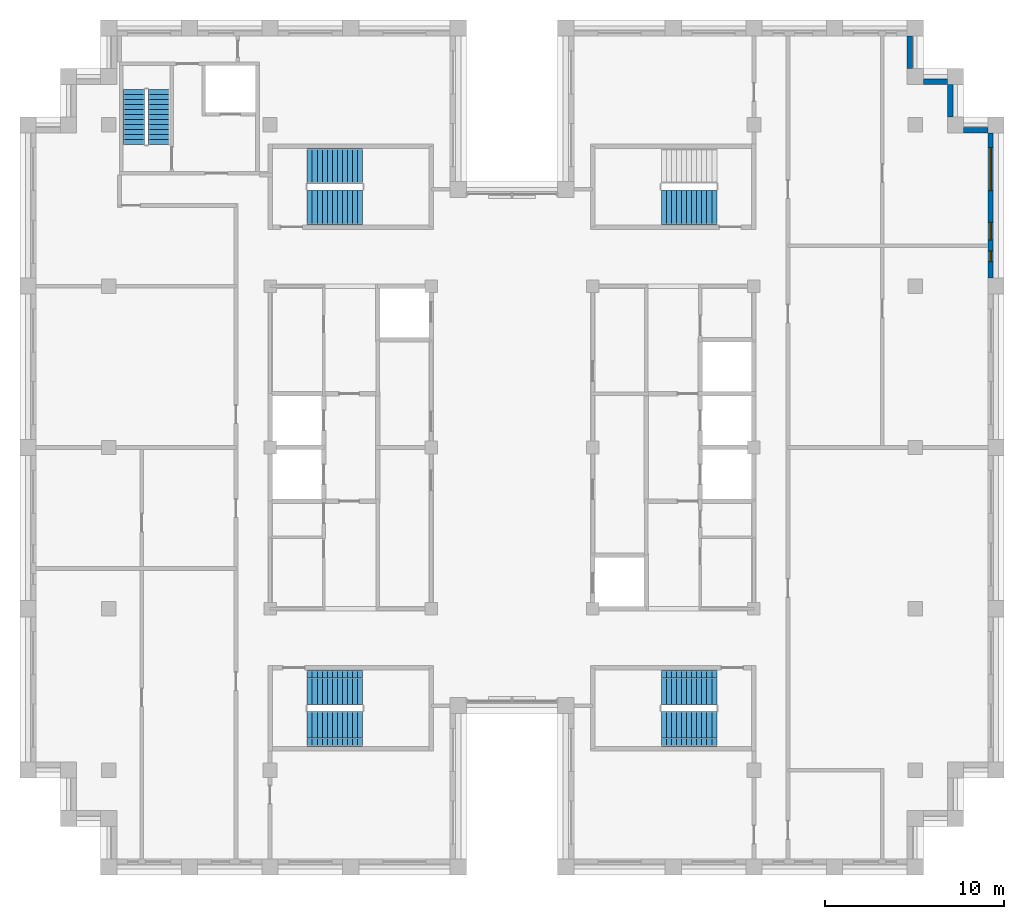
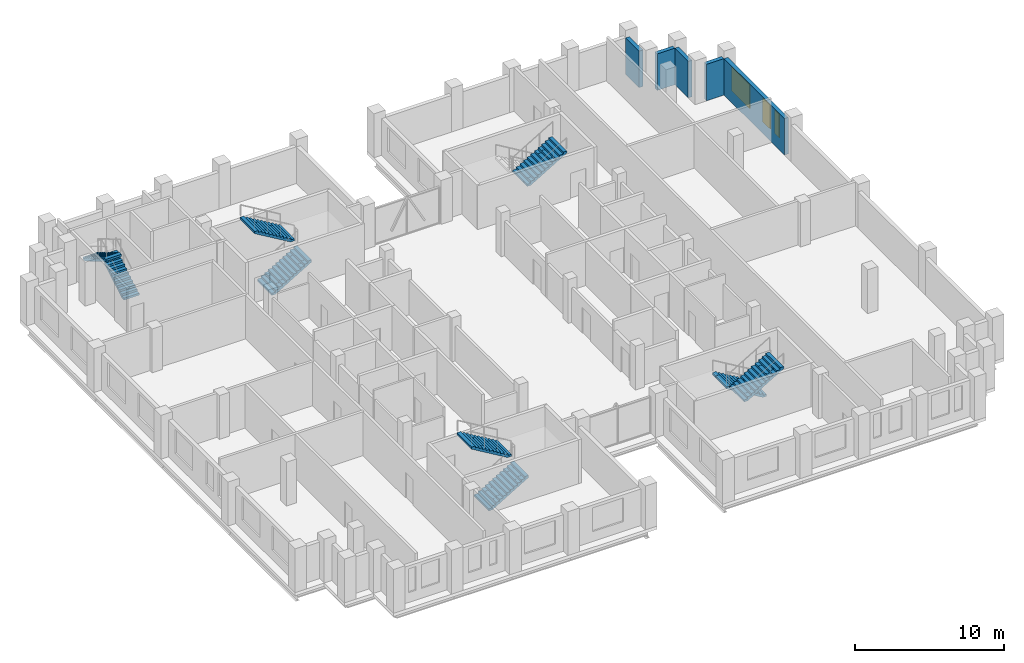
# One storey, part 11 of 13: 9 stair flights, 5 walls, 3 windows, 3 openings, 5 elements without a shape of their own.
"""IFC4 building model written with IfcOpenShell, lengths in metres."""

from ifc_helpers import new_model, si_unit, direction, frame, frame_2d, origin, place, context, subcontext, project, spatial, polyline, rectangle, outline, extrude, material, layer, layer_set, type_object, element, fill, aggregate, save


model = new_model("IFC4")

# Units and contexts
model_context = context("Model", 3, precision=1e-05, world=origin(), true_north=direction((0.0, 1.0)))
body_context = subcontext(model_context, "Body", "Model", "MODEL_VIEW")
ifc_project = project(units=[si_unit("LENGTHUNIT", "METRE"), si_unit("AREAUNIT", "SQUARE_METRE"), si_unit("VOLUMEUNIT", "CUBIC_METRE"), si_unit("PLANEANGLEUNIT", "RADIAN"), si_unit("MASSUNIT", "GRAM", prefix="KILO")], contexts=[model_context])

# Site, building, storey
site_placement = place(None, origin())
site = spatial("IfcSite", under=ifc_project, at=site_placement, CompositionType="ELEMENT")
building_placement = place(site_placement, origin())
building = spatial("IfcBuilding", under=site, at=building_placement, Name="Corbelhall Arena Tower", CompositionType="ELEMENT")
storey_placement = place(building_placement, frame((0.0, 0.0, 316.0)))
storey = spatial("IfcBuildingStorey", under=building, at=storey_placement, Name="L69", CompositionType="ELEMENT", Elevation=316.0)

# Wall, openings, windows
ifc_material_1 = material(Name="Precast concrete C40/50 with granite facing", Category="masonry")
ifc_layer = layer(ifc_material_1, 0.300048828125)
ifc_layer_set = layer_set([ifc_layer], Name="EV-IW1 Infill panel 300")
wall_type = type_object("IfcWallType", Name="EV-IW1 Infill panel 300", PredefinedType="SOLIDWALL", material=ifc_layer_set)
wall_1_placement = place(storey_placement, frame((26.699951171875, 9.449951171875, 0.0), z_axis=(0.0, 0.0, 1.0), x_axis=(0.0, 1.0, 0.0)))
wall_1 = element("IfcWall", 1, at=wall_1_placement, inside=storey, type_object=wall_type, Name="Infill panel IW1", PredefinedType="SOLIDWALL", context=body_context, shape_type="SweptSolid", body=[
    extrude(rectangle(XDim=8.10009765625, YDim=0.300048828125, at=frame_2d((4.050048828125, 0.0))), origin(), (0.0, 0.0, 1.0), 2.989990234375),
])
opening_1_placement = place(wall_1_placement, frame((4.875, 0.0, 0.800048828125)))
opening_1 = element("IfcOpeningElement", 2, at=opening_1_placement, cuts=wall_1, Name="Opening WN1", PredefinedType="OPENING", context=body_context, shape_type="SweptSolid", body=[
    extrude(rectangle(XDim=2.39990234375, YDim=1.949951171875, at=frame_2d((1.199951171875, 0.97509765625))), frame((0.0, 0.14990234375, 0.0), z_axis=(0.0, -1.0, 0.0), x_axis=(1.0, 0.0, 0.0)), (0.0, 0.0, 1.0), 0.300048828125),
])
opening_2_placement = place(wall_1_placement, frame((0.91259765625, 0.0, 0.800048828125)))
opening_2 = element("IfcOpeningElement", 3, at=opening_2_placement, cuts=wall_1, Name="Opening WN5", PredefinedType="OPENING", context=body_context, shape_type="SweptSolid", body=[
    extrude(rectangle(XDim=0.60009765625, YDim=1.949951171875, at=frame_2d((0.300048828125, 0.97509765625))), frame((0.0, 0.14990234375, 0.0), z_axis=(0.0, -1.0, 0.0), x_axis=(1.0, 0.0, 0.0)), (0.0, 0.0, 1.0), 0.300048828125),
])
opening_3_placement = place(wall_1_placement, frame((2.112548828125, 0.0, 0.800048828125)))
opening_3 = element("IfcOpeningElement", 4, at=opening_3_placement, cuts=wall_1, Name="Opening WN6", PredefinedType="OPENING", context=body_context, shape_type="SweptSolid", body=[
    extrude(rectangle(XDim=1.0, YDim=1.949951171875, at=frame_2d((0.5, 0.97509765625))), frame((0.0, 0.14990234375, 0.0), z_axis=(0.0, -1.0, 0.0), x_axis=(1.0, 0.0, 0.0)), (0.0, 0.0, 1.0), 0.300048828125),
])
ifc_material_2 = material(Name="Aluminium black anodised", Category="aluminium")
window_type_1 = type_object("IfcWindowType", Name="EV-WN1 Office window", PartitioningType="SINGLE_PANEL", PredefinedType="WINDOW", material=ifc_material_2)
window_1_placement = place(opening_1_placement, origin())
window_1 = element("IfcWindow", 5, at=window_1_placement, inside=storey, type_object=window_type_1, Name="Window WN1", OverallHeight=1.949951171875, OverallWidth=2.39990234375, PartitioningType="SINGLE_PANEL", PredefinedType="WINDOW", context=body_context, shape_type="SweptSolid", body=[
    extrude(rectangle(XDim=2.39990234375, YDim=1.949951171875, at=frame_2d((1.199951171875, 0.97509765625))), frame((0.0, 0.030029296875, 0.0), z_axis=(0.0, -1.0, 0.0), x_axis=(1.0, 0.0, 0.0)), (0.0, 0.0, 1.0), 0.06005859375),
])
fill(opening_1, window_1)
window_type_2 = type_object("IfcWindowType", Name="EV-WN5 Office window 600", PartitioningType="SINGLE_PANEL", PredefinedType="WINDOW", material=ifc_material_2)
window_2_placement = place(opening_2_placement, origin())
window_2 = element("IfcWindow", 6, at=window_2_placement, inside=storey, type_object=window_type_2, Name="Window WN5", OverallHeight=1.949951171875, OverallWidth=0.60009765625, PartitioningType="SINGLE_PANEL", PredefinedType="WINDOW", context=body_context, shape_type="SweptSolid", body=[
    extrude(rectangle(XDim=0.60009765625, YDim=1.949951171875, at=frame_2d((0.300048828125, 0.97509765625))), frame((0.0, 0.030029296875, 0.0), z_axis=(0.0, -1.0, 0.0), x_axis=(1.0, 0.0, 0.0)), (0.0, 0.0, 1.0), 0.06005859375),
])
fill(opening_2, window_2)
window_type_3 = type_object("IfcWindowType", Name="EV-WN6 Office window 1000", PartitioningType="SINGLE_PANEL", PredefinedType="WINDOW", material=ifc_material_2)
window_3_placement = place(opening_3_placement, origin())
window_3 = element("IfcWindow", 7, at=window_3_placement, inside=storey, type_object=window_type_3, Name="Window WN6", OverallHeight=1.949951171875, OverallWidth=1.0, PartitioningType="SINGLE_PANEL", PredefinedType="WINDOW", context=body_context, shape_type="SweptSolid", body=[
    extrude(rectangle(XDim=1.0, YDim=1.949951171875, at=frame_2d((0.5, 0.97509765625))), frame((0.0, 0.030029296875, 0.0), z_axis=(0.0, -1.0, 0.0), x_axis=(1.0, 0.0, 0.0)), (0.0, 0.0, 1.0), 0.06005859375),
])
fill(opening_3, window_3)

# Walls
wall_2_placement = place(storey_placement, frame((26.550048828125, 17.699951171875, 0.0), z_axis=(0.0, 0.0, 1.0), x_axis=(-1.0, 0.0, 0.0)))
element("IfcWall", 8, at=wall_2_placement, inside=storey, type_object=wall_type, Name="Infill panel IW1", PredefinedType="SOLIDWALL", context=body_context, shape_type="SweptSolid", body=[
    extrude(rectangle(XDim=1.35009765625, YDim=0.300048828125, at=frame_2d((0.675048828125, 0.0))), origin(), (0.0, 0.0, 1.0), 2.989990234375),
])
wall_3_placement = place(storey_placement, frame((24.449951171875, 18.449951171875, 0.0), z_axis=(0.0, 0.0, 1.0), x_axis=(0.0, 1.0, 0.0)))
element("IfcWall", 9, at=wall_3_placement, inside=storey, type_object=wall_type, Name="Infill panel IW1", PredefinedType="SOLIDWALL", context=body_context, shape_type="SweptSolid", body=[
    extrude(rectangle(XDim=1.800048828125, YDim=0.300048828125, at=frame_2d((0.89990234375, 0.0))), origin(), (0.0, 0.0, 1.0), 2.989990234375),
])
wall_4_placement = place(storey_placement, frame((24.300048828125, 20.39990234375, 0.0), z_axis=(0.0, 0.0, 1.0), x_axis=(-1.0, 0.0, 0.0)))
element("IfcWall", 10, at=wall_4_placement, inside=storey, type_object=wall_type, Name="Infill panel IW1", PredefinedType="SOLIDWALL", context=body_context, shape_type="SweptSolid", body=[
    extrude(rectangle(XDim=1.35009765625, YDim=0.300048828125, at=frame_2d((0.675048828125, 0.0))), origin(), (0.0, 0.0, 1.0), 2.989990234375),
])
wall_5_placement = place(storey_placement, frame((22.199951171875, 21.14990234375, 0.0), z_axis=(0.0, 0.0, 1.0), x_axis=(0.0, 1.0, 0.0)))
element("IfcWall", 11, at=wall_5_placement, inside=storey, type_object=wall_type, Name="Infill panel IW1", PredefinedType="SOLIDWALL", context=body_context, shape_type="SweptSolid", body=[
    extrude(rectangle(XDim=1.800048828125, YDim=0.300048828125, at=frame_2d((0.89990234375, 0.0))), origin(), (0.0, 0.0, 1.0), 2.989990234375),
])

# Stair, stair flights
ifc_material_3 = material(Name="Concrete C40/50", Category="concrete")
stair_type = type_object("IfcStairType", Name="IN-ST-TOWER", PredefinedType="HALF_TURN_STAIR", material=ifc_material_3)
stair_1_placement = place(storey_placement, origin())
stair_1 = element("IfcStair", 12, at=stair_1_placement, inside=storey, type_object=stair_type, Name="L69 Exit stair ST1", PredefinedType="HALF_TURN_STAIR")
stair_flight_type = type_object("IfcStairFlightType", Name="IN-SFL-RC", PredefinedType="STRAIGHT", material=ifc_material_3)
stair_flight_1_placement = place(storey_placement, frame((-11.425048828125, 13.39990234375, 0.0), z_axis=(0.0, 0.0, 1.0), x_axis=(1.0, 0.0, 0.0)))
stair_flight_1 = element("IfcStairFlight", 13, at=stair_flight_1_placement, type_object=stair_flight_type, Name="ST1 flight 1", NumberOfRisers=12, NumberOfTreads=11, PredefinedType="STRAIGHT", RiserHeight=0.166666667, TreadLength=0.28, context=body_context, shape_type="SweptSolid", body=[
    extrude(outline(polyline([(0.0, 0.0), (0.0, 0.166748046875), (0.280029296875, 0.166748046875), (0.280029296875, 0.333251953125), (0.56005859375, 0.333251953125), (0.56005859375, 0.5), (0.840087890625, 0.5), (0.840087890625, 0.666748046875), (1.1201171875, 0.666748046875), (1.1201171875, 0.833251953125), (1.39990234375, 0.833251953125), (1.39990234375, 1.0), (1.679931640625, 1.0), (1.679931640625, 1.166748046875), (1.9599609375, 1.166748046875), (1.9599609375, 1.333251953125), (2.239990234375, 1.333251953125), (2.239990234375, 1.5), (2.52001953125, 1.5), (2.52001953125, 1.666748046875), (2.800048828125, 1.666748046875), (2.800048828125, 1.833251953125), (3.080078125, 1.833251953125), (3.080078125, 2.0), (3.080078125, 1.658935546875), (0.29296875, 0.0), (0.0, 0.0)])), frame((0.0, 0.97509765625, 0.0), z_axis=(0.0, -1.0, 0.0), x_axis=(1.0, 0.0, 0.0)), (0.0, 0.0, 1.0), 0.449951171875),
    extrude(outline(polyline([(0.0, 0.0), (0.0, 0.166748046875), (0.280029296875, 0.166748046875), (0.280029296875, 0.333251953125), (0.56005859375, 0.333251953125), (0.56005859375, 0.5), (0.840087890625, 0.5), (0.840087890625, 0.666748046875), (1.1201171875, 0.666748046875), (1.1201171875, 0.833251953125), (1.39990234375, 0.833251953125), (1.39990234375, 1.0), (1.679931640625, 1.0), (1.679931640625, 1.166748046875), (1.9599609375, 1.166748046875), (1.9599609375, 1.333251953125), (2.239990234375, 1.333251953125), (2.239990234375, 1.5), (2.52001953125, 1.5), (2.52001953125, 1.666748046875), (2.800048828125, 1.666748046875), (2.800048828125, 1.833251953125), (3.080078125, 1.833251953125), (3.080078125, 2.0), (3.080078125, 1.658935546875), (0.29296875, 0.0), (0.0, 0.0)])), frame((0.0, 0.52099609375, 0.0), z_axis=(0.0, -1.0, 0.0), x_axis=(1.0, 0.0, 0.0)), (0.0, 0.0, 1.0), 1.0419921875),
    extrude(outline(polyline([(0.0, 0.0), (0.0, 0.166748046875), (0.280029296875, 0.166748046875), (0.280029296875, 0.333251953125), (0.56005859375, 0.333251953125), (0.56005859375, 0.5), (0.840087890625, 0.5), (0.840087890625, 0.666748046875), (1.1201171875, 0.666748046875), (1.1201171875, 0.833251953125), (1.39990234375, 0.833251953125), (1.39990234375, 1.0), (1.679931640625, 1.0), (1.679931640625, 1.166748046875), (1.9599609375, 1.166748046875), (1.9599609375, 1.333251953125), (2.239990234375, 1.333251953125), (2.239990234375, 1.5), (2.52001953125, 1.5), (2.52001953125, 1.666748046875), (2.800048828125, 1.666748046875), (2.800048828125, 1.833251953125), (3.080078125, 1.833251953125), (3.080078125, 2.0), (3.080078125, 1.658935546875), (0.29296875, 0.0), (0.0, 0.0)])), frame((0.0, -0.52490234375, 0.0), z_axis=(0.0, -1.0, 0.0), x_axis=(1.0, 0.0, 0.0)), (0.0, 0.0, 1.0), 0.449951171875),
])
stair_flight_2_placement = place(storey_placement, frame((-8.344970703125, 15.699951171875, 2.0), z_axis=(0.0, 0.0, 1.0), x_axis=(-1.0, 0.0, 0.0)))
stair_flight_2 = element("IfcStairFlight", 14, at=stair_flight_2_placement, type_object=stair_flight_type, Name="ST1 flight 2", NumberOfRisers=12, NumberOfTreads=11, PredefinedType="STRAIGHT", RiserHeight=0.166666667, TreadLength=0.28, context=body_context, shape_type="SweptSolid", body=[
    extrude(outline(polyline([(0.0, 0.0), (0.0, 0.166748046875), (0.280029296875, 0.166748046875), (0.280029296875, 0.333251953125), (0.56005859375, 0.333251953125), (0.56005859375, 0.5), (0.840087890625, 0.5), (0.840087890625, 0.666748046875), (1.1201171875, 0.666748046875), (1.1201171875, 0.833251953125), (1.39990234375, 0.833251953125), (1.39990234375, 1.0), (1.679931640625, 1.0), (1.679931640625, 1.166748046875), (1.9599609375, 1.166748046875), (1.9599609375, 1.333251953125), (2.239990234375, 1.333251953125), (2.239990234375, 1.5), (2.52001953125, 1.5), (2.52001953125, 1.666748046875), (2.800048828125, 1.666748046875), (2.800048828125, 1.833251953125), (3.080078125, 1.833251953125), (3.080078125, 2.0), (3.080078125, 1.658935546875), (0.29296875, 0.0), (0.0, 0.0)])), frame((0.0, 0.97509765625, 0.0), z_axis=(0.0, -1.0, 0.0), x_axis=(1.0, 0.0, 0.0)), (0.0, 0.0, 1.0), 0.449951171875),
    extrude(outline(polyline([(0.0, 0.0), (0.0, 0.166748046875), (0.280029296875, 0.166748046875), (0.280029296875, 0.333251953125), (0.56005859375, 0.333251953125), (0.56005859375, 0.5), (0.840087890625, 0.5), (0.840087890625, 0.666748046875), (1.1201171875, 0.666748046875), (1.1201171875, 0.833251953125), (1.39990234375, 0.833251953125), (1.39990234375, 1.0), (1.679931640625, 1.0), (1.679931640625, 1.166748046875), (1.9599609375, 1.166748046875), (1.9599609375, 1.333251953125), (2.239990234375, 1.333251953125), (2.239990234375, 1.5), (2.52001953125, 1.5), (2.52001953125, 1.666748046875), (2.800048828125, 1.666748046875), (2.800048828125, 1.833251953125), (3.080078125, 1.833251953125), (3.080078125, 2.0), (3.080078125, 1.658935546875), (0.29296875, 0.0), (0.0, 0.0)])), frame((0.0, 0.52099609375, 0.0), z_axis=(0.0, -1.0, 0.0), x_axis=(1.0, 0.0, 0.0)), (0.0, 0.0, 1.0), 1.0419921875),
    extrude(outline(polyline([(0.0, 0.0), (0.0, 0.166748046875), (0.280029296875, 0.166748046875), (0.280029296875, 0.333251953125), (0.56005859375, 0.333251953125), (0.56005859375, 0.5), (0.840087890625, 0.5), (0.840087890625, 0.666748046875), (1.1201171875, 0.666748046875), (1.1201171875, 0.833251953125), (1.39990234375, 0.833251953125), (1.39990234375, 1.0), (1.679931640625, 1.0), (1.679931640625, 1.166748046875), (1.9599609375, 1.166748046875), (1.9599609375, 1.333251953125), (2.239990234375, 1.333251953125), (2.239990234375, 1.5), (2.52001953125, 1.5), (2.52001953125, 1.666748046875), (2.800048828125, 1.666748046875), (2.800048828125, 1.833251953125), (3.080078125, 1.833251953125), (3.080078125, 2.0), (3.080078125, 1.658935546875), (0.29296875, 0.0), (0.0, 0.0)])), frame((0.0, -0.52490234375, 0.0), z_axis=(0.0, -1.0, 0.0), x_axis=(1.0, 0.0, 0.0)), (0.0, 0.0, 1.0), 0.449951171875),
])
aggregate(stair_1, [stair_flight_1, stair_flight_2])

stair_2_placement = place(storey_placement, origin())
stair_2 = element("IfcStair", 15, at=stair_2_placement, inside=storey, type_object=stair_type, Name="L69 Exit stair ST2", PredefinedType="HALF_TURN_STAIR")
stair_flight_3_placement = place(storey_placement, frame((-11.425048828125, -15.699951171875, 0.0), z_axis=(0.0, 0.0, 1.0), x_axis=(1.0, 0.0, 0.0)))
stair_flight_3 = element("IfcStairFlight", 16, at=stair_flight_3_placement, type_object=stair_flight_type, Name="ST2 flight 1", NumberOfRisers=12, NumberOfTreads=11, PredefinedType="STRAIGHT", RiserHeight=0.166666667, TreadLength=0.28, context=body_context, shape_type="SweptSolid", body=[
    extrude(outline(polyline([(0.0, 0.0), (0.0, 0.166748046875), (0.280029296875, 0.166748046875), (0.280029296875, 0.333251953125), (0.56005859375, 0.333251953125), (0.56005859375, 0.5), (0.840087890625, 0.5), (0.840087890625, 0.666748046875), (1.1201171875, 0.666748046875), (1.1201171875, 0.833251953125), (1.39990234375, 0.833251953125), (1.39990234375, 1.0), (1.679931640625, 1.0), (1.679931640625, 1.166748046875), (1.9599609375, 1.166748046875), (1.9599609375, 1.333251953125), (2.239990234375, 1.333251953125), (2.239990234375, 1.5), (2.52001953125, 1.5), (2.52001953125, 1.666748046875), (2.800048828125, 1.666748046875), (2.800048828125, 1.833251953125), (3.080078125, 1.833251953125), (3.080078125, 2.0), (3.080078125, 1.658935546875), (0.29296875, 0.0), (0.0, 0.0)])), frame((0.0, 0.97509765625, 0.0), z_axis=(0.0, -1.0, 0.0), x_axis=(1.0, 0.0, 0.0)), (0.0, 0.0, 1.0), 0.449951171875),
    extrude(outline(polyline([(0.0, 0.0), (0.0, 0.166748046875), (0.280029296875, 0.166748046875), (0.280029296875, 0.333251953125), (0.56005859375, 0.333251953125), (0.56005859375, 0.5), (0.840087890625, 0.5), (0.840087890625, 0.666748046875), (1.1201171875, 0.666748046875), (1.1201171875, 0.833251953125), (1.39990234375, 0.833251953125), (1.39990234375, 1.0), (1.679931640625, 1.0), (1.679931640625, 1.166748046875), (1.9599609375, 1.166748046875), (1.9599609375, 1.333251953125), (2.239990234375, 1.333251953125), (2.239990234375, 1.5), (2.52001953125, 1.5), (2.52001953125, 1.666748046875), (2.800048828125, 1.666748046875), (2.800048828125, 1.833251953125), (3.080078125, 1.833251953125), (3.080078125, 2.0), (3.080078125, 1.658935546875), (0.29296875, 0.0), (0.0, 0.0)])), frame((0.0, 0.52099609375, 0.0), z_axis=(0.0, -1.0, 0.0), x_axis=(1.0, 0.0, 0.0)), (0.0, 0.0, 1.0), 1.0419921875),
    extrude(outline(polyline([(0.0, 0.0), (0.0, 0.166748046875), (0.280029296875, 0.166748046875), (0.280029296875, 0.333251953125), (0.56005859375, 0.333251953125), (0.56005859375, 0.5), (0.840087890625, 0.5), (0.840087890625, 0.666748046875), (1.1201171875, 0.666748046875), (1.1201171875, 0.833251953125), (1.39990234375, 0.833251953125), (1.39990234375, 1.0), (1.679931640625, 1.0), (1.679931640625, 1.166748046875), (1.9599609375, 1.166748046875), (1.9599609375, 1.333251953125), (2.239990234375, 1.333251953125), (2.239990234375, 1.5), (2.52001953125, 1.5), (2.52001953125, 1.666748046875), (2.800048828125, 1.666748046875), (2.800048828125, 1.833251953125), (3.080078125, 1.833251953125), (3.080078125, 2.0), (3.080078125, 1.658935546875), (0.29296875, 0.0), (0.0, 0.0)])), frame((0.0, -0.52490234375, 0.0), z_axis=(0.0, -1.0, 0.0), x_axis=(1.0, 0.0, 0.0)), (0.0, 0.0, 1.0), 0.449951171875),
])
stair_flight_4_placement = place(storey_placement, frame((-8.344970703125, -13.39990234375, 2.0), z_axis=(0.0, 0.0, 1.0), x_axis=(-1.0, 0.0, 0.0)))
stair_flight_4 = element("IfcStairFlight", 17, at=stair_flight_4_placement, type_object=stair_flight_type, Name="ST2 flight 2", NumberOfRisers=12, NumberOfTreads=11, PredefinedType="STRAIGHT", RiserHeight=0.166666667, TreadLength=0.28, context=body_context, shape_type="SweptSolid", body=[
    extrude(outline(polyline([(0.0, 0.0), (0.0, 0.166748046875), (0.280029296875, 0.166748046875), (0.280029296875, 0.333251953125), (0.56005859375, 0.333251953125), (0.56005859375, 0.5), (0.840087890625, 0.5), (0.840087890625, 0.666748046875), (1.1201171875, 0.666748046875), (1.1201171875, 0.833251953125), (1.39990234375, 0.833251953125), (1.39990234375, 1.0), (1.679931640625, 1.0), (1.679931640625, 1.166748046875), (1.9599609375, 1.166748046875), (1.9599609375, 1.333251953125), (2.239990234375, 1.333251953125), (2.239990234375, 1.5), (2.52001953125, 1.5), (2.52001953125, 1.666748046875), (2.800048828125, 1.666748046875), (2.800048828125, 1.833251953125), (3.080078125, 1.833251953125), (3.080078125, 2.0), (3.080078125, 1.658935546875), (0.29296875, 0.0), (0.0, 0.0)])), frame((0.0, 0.97509765625, 0.0), z_axis=(0.0, -1.0, 0.0), x_axis=(1.0, 0.0, 0.0)), (0.0, 0.0, 1.0), 0.449951171875),
    extrude(outline(polyline([(0.0, 0.0), (0.0, 0.166748046875), (0.280029296875, 0.166748046875), (0.280029296875, 0.333251953125), (0.56005859375, 0.333251953125), (0.56005859375, 0.5), (0.840087890625, 0.5), (0.840087890625, 0.666748046875), (1.1201171875, 0.666748046875), (1.1201171875, 0.833251953125), (1.39990234375, 0.833251953125), (1.39990234375, 1.0), (1.679931640625, 1.0), (1.679931640625, 1.166748046875), (1.9599609375, 1.166748046875), (1.9599609375, 1.333251953125), (2.239990234375, 1.333251953125), (2.239990234375, 1.5), (2.52001953125, 1.5), (2.52001953125, 1.666748046875), (2.800048828125, 1.666748046875), (2.800048828125, 1.833251953125), (3.080078125, 1.833251953125), (3.080078125, 2.0), (3.080078125, 1.658935546875), (0.29296875, 0.0), (0.0, 0.0)])), frame((0.0, 0.52099609375, 0.0), z_axis=(0.0, -1.0, 0.0), x_axis=(1.0, 0.0, 0.0)), (0.0, 0.0, 1.0), 1.0419921875),
    extrude(outline(polyline([(0.0, 0.0), (0.0, 0.166748046875), (0.280029296875, 0.166748046875), (0.280029296875, 0.333251953125), (0.56005859375, 0.333251953125), (0.56005859375, 0.5), (0.840087890625, 0.5), (0.840087890625, 0.666748046875), (1.1201171875, 0.666748046875), (1.1201171875, 0.833251953125), (1.39990234375, 0.833251953125), (1.39990234375, 1.0), (1.679931640625, 1.0), (1.679931640625, 1.166748046875), (1.9599609375, 1.166748046875), (1.9599609375, 1.333251953125), (2.239990234375, 1.333251953125), (2.239990234375, 1.5), (2.52001953125, 1.5), (2.52001953125, 1.666748046875), (2.800048828125, 1.666748046875), (2.800048828125, 1.833251953125), (3.080078125, 1.833251953125), (3.080078125, 2.0), (3.080078125, 1.658935546875), (0.29296875, 0.0), (0.0, 0.0)])), frame((0.0, -0.52490234375, 0.0), z_axis=(0.0, -1.0, 0.0), x_axis=(1.0, 0.0, 0.0)), (0.0, 0.0, 1.0), 0.449951171875),
])
aggregate(stair_2, [stair_flight_3, stair_flight_4])

# Stair, stair flight
stair_3_placement = place(storey_placement, origin())
stair_3 = element("IfcStair", 18, at=stair_3_placement, inside=storey, type_object=stair_type, Name="L69 Exit stair ST3", PredefinedType="HALF_TURN_STAIR")
stair_flight_5_placement = place(storey_placement, frame((8.344970703125, 13.39990234375, 2.0), z_axis=(0.0, 0.0, 1.0), x_axis=(1.0, 0.0, 0.0)))
stair_flight_5 = element("IfcStairFlight", 19, at=stair_flight_5_placement, type_object=stair_flight_type, Name="ST3 flight 2", NumberOfRisers=12, NumberOfTreads=11, PredefinedType="STRAIGHT", RiserHeight=0.166666667, TreadLength=0.28, context=body_context, shape_type="SweptSolid", body=[
    extrude(outline(polyline([(0.0, 0.0), (0.0, 0.166748046875), (0.280029296875, 0.166748046875), (0.280029296875, 0.333251953125), (0.56005859375, 0.333251953125), (0.56005859375, 0.5), (0.840087890625, 0.5), (0.840087890625, 0.666748046875), (1.1201171875, 0.666748046875), (1.1201171875, 0.833251953125), (1.39990234375, 0.833251953125), (1.39990234375, 1.0), (1.679931640625, 1.0), (1.679931640625, 1.166748046875), (1.9599609375, 1.166748046875), (1.9599609375, 1.333251953125), (2.239990234375, 1.333251953125), (2.239990234375, 1.5), (2.52001953125, 1.5), (2.52001953125, 1.666748046875), (2.800048828125, 1.666748046875), (2.800048828125, 1.833251953125), (3.080078125, 1.833251953125), (3.080078125, 2.0), (3.080078125, 1.658935546875), (0.29296875, 0.0), (0.0, 0.0)])), frame((0.0, 0.97509765625, 0.0), z_axis=(0.0, -1.0, 0.0), x_axis=(1.0, 0.0, 0.0)), (0.0, 0.0, 1.0), 0.449951171875),
    extrude(outline(polyline([(0.0, 0.0), (0.0, 0.166748046875), (0.280029296875, 0.166748046875), (0.280029296875, 0.333251953125), (0.56005859375, 0.333251953125), (0.56005859375, 0.5), (0.840087890625, 0.5), (0.840087890625, 0.666748046875), (1.1201171875, 0.666748046875), (1.1201171875, 0.833251953125), (1.39990234375, 0.833251953125), (1.39990234375, 1.0), (1.679931640625, 1.0), (1.679931640625, 1.166748046875), (1.9599609375, 1.166748046875), (1.9599609375, 1.333251953125), (2.239990234375, 1.333251953125), (2.239990234375, 1.5), (2.52001953125, 1.5), (2.52001953125, 1.666748046875), (2.800048828125, 1.666748046875), (2.800048828125, 1.833251953125), (3.080078125, 1.833251953125), (3.080078125, 2.0), (3.080078125, 1.658935546875), (0.29296875, 0.0), (0.0, 0.0)])), frame((0.0, 0.52099609375, 0.0), z_axis=(0.0, -1.0, 0.0), x_axis=(1.0, 0.0, 0.0)), (0.0, 0.0, 1.0), 1.0419921875),
    extrude(outline(polyline([(0.0, 0.0), (0.0, 0.166748046875), (0.280029296875, 0.166748046875), (0.280029296875, 0.333251953125), (0.56005859375, 0.333251953125), (0.56005859375, 0.5), (0.840087890625, 0.5), (0.840087890625, 0.666748046875), (1.1201171875, 0.666748046875), (1.1201171875, 0.833251953125), (1.39990234375, 0.833251953125), (1.39990234375, 1.0), (1.679931640625, 1.0), (1.679931640625, 1.166748046875), (1.9599609375, 1.166748046875), (1.9599609375, 1.333251953125), (2.239990234375, 1.333251953125), (2.239990234375, 1.5), (2.52001953125, 1.5), (2.52001953125, 1.666748046875), (2.800048828125, 1.666748046875), (2.800048828125, 1.833251953125), (3.080078125, 1.833251953125), (3.080078125, 2.0), (3.080078125, 1.658935546875), (0.29296875, 0.0), (0.0, 0.0)])), frame((0.0, -0.52490234375, 0.0), z_axis=(0.0, -1.0, 0.0), x_axis=(1.0, 0.0, 0.0)), (0.0, 0.0, 1.0), 0.449951171875),
])
aggregate(stair_3, [stair_flight_5])

# Stair, stair flights
stair_4_placement = place(storey_placement, origin())
stair_4 = element("IfcStair", 20, at=stair_4_placement, inside=storey, type_object=stair_type, Name="L69 Exit stair ST4", PredefinedType="HALF_TURN_STAIR")
stair_flight_6_placement = place(storey_placement, frame((11.425048828125, -13.39990234375, 0.0), z_axis=(0.0, 0.0, 1.0), x_axis=(-1.0, 0.0, 0.0)))
stair_flight_6 = element("IfcStairFlight", 21, at=stair_flight_6_placement, type_object=stair_flight_type, Name="ST4 flight 1", NumberOfRisers=12, NumberOfTreads=11, PredefinedType="STRAIGHT", RiserHeight=0.166666667, TreadLength=0.28, context=body_context, shape_type="SweptSolid", body=[
    extrude(outline(polyline([(0.0, 0.0), (0.0, 0.166748046875), (0.280029296875, 0.166748046875), (0.280029296875, 0.333251953125), (0.56005859375, 0.333251953125), (0.56005859375, 0.5), (0.840087890625, 0.5), (0.840087890625, 0.666748046875), (1.1201171875, 0.666748046875), (1.1201171875, 0.833251953125), (1.39990234375, 0.833251953125), (1.39990234375, 1.0), (1.679931640625, 1.0), (1.679931640625, 1.166748046875), (1.9599609375, 1.166748046875), (1.9599609375, 1.333251953125), (2.239990234375, 1.333251953125), (2.239990234375, 1.5), (2.52001953125, 1.5), (2.52001953125, 1.666748046875), (2.800048828125, 1.666748046875), (2.800048828125, 1.833251953125), (3.080078125, 1.833251953125), (3.080078125, 2.0), (3.080078125, 1.658935546875), (0.29296875, 0.0), (0.0, 0.0)])), frame((0.0, 0.97509765625, 0.0), z_axis=(0.0, -1.0, 0.0), x_axis=(1.0, 0.0, 0.0)), (0.0, 0.0, 1.0), 0.449951171875),
    extrude(outline(polyline([(0.0, 0.0), (0.0, 0.166748046875), (0.280029296875, 0.166748046875), (0.280029296875, 0.333251953125), (0.56005859375, 0.333251953125), (0.56005859375, 0.5), (0.840087890625, 0.5), (0.840087890625, 0.666748046875), (1.1201171875, 0.666748046875), (1.1201171875, 0.833251953125), (1.39990234375, 0.833251953125), (1.39990234375, 1.0), (1.679931640625, 1.0), (1.679931640625, 1.166748046875), (1.9599609375, 1.166748046875), (1.9599609375, 1.333251953125), (2.239990234375, 1.333251953125), (2.239990234375, 1.5), (2.52001953125, 1.5), (2.52001953125, 1.666748046875), (2.800048828125, 1.666748046875), (2.800048828125, 1.833251953125), (3.080078125, 1.833251953125), (3.080078125, 2.0), (3.080078125, 1.658935546875), (0.29296875, 0.0), (0.0, 0.0)])), frame((0.0, 0.52099609375, 0.0), z_axis=(0.0, -1.0, 0.0), x_axis=(1.0, 0.0, 0.0)), (0.0, 0.0, 1.0), 1.0419921875),
    extrude(outline(polyline([(0.0, 0.0), (0.0, 0.166748046875), (0.280029296875, 0.166748046875), (0.280029296875, 0.333251953125), (0.56005859375, 0.333251953125), (0.56005859375, 0.5), (0.840087890625, 0.5), (0.840087890625, 0.666748046875), (1.1201171875, 0.666748046875), (1.1201171875, 0.833251953125), (1.39990234375, 0.833251953125), (1.39990234375, 1.0), (1.679931640625, 1.0), (1.679931640625, 1.166748046875), (1.9599609375, 1.166748046875), (1.9599609375, 1.333251953125), (2.239990234375, 1.333251953125), (2.239990234375, 1.5), (2.52001953125, 1.5), (2.52001953125, 1.666748046875), (2.800048828125, 1.666748046875), (2.800048828125, 1.833251953125), (3.080078125, 1.833251953125), (3.080078125, 2.0), (3.080078125, 1.658935546875), (0.29296875, 0.0), (0.0, 0.0)])), frame((0.0, -0.52490234375, 0.0), z_axis=(0.0, -1.0, 0.0), x_axis=(1.0, 0.0, 0.0)), (0.0, 0.0, 1.0), 0.449951171875),
])
stair_flight_7_placement = place(storey_placement, frame((8.344970703125, -15.699951171875, 2.0), z_axis=(0.0, 0.0, 1.0), x_axis=(1.0, 0.0, 0.0)))
stair_flight_7 = element("IfcStairFlight", 22, at=stair_flight_7_placement, type_object=stair_flight_type, Name="ST4 flight 2", NumberOfRisers=12, NumberOfTreads=11, PredefinedType="STRAIGHT", RiserHeight=0.166666667, TreadLength=0.28, context=body_context, shape_type="SweptSolid", body=[
    extrude(outline(polyline([(0.0, 0.0), (0.0, 0.166748046875), (0.280029296875, 0.166748046875), (0.280029296875, 0.333251953125), (0.56005859375, 0.333251953125), (0.56005859375, 0.5), (0.840087890625, 0.5), (0.840087890625, 0.666748046875), (1.1201171875, 0.666748046875), (1.1201171875, 0.833251953125), (1.39990234375, 0.833251953125), (1.39990234375, 1.0), (1.679931640625, 1.0), (1.679931640625, 1.166748046875), (1.9599609375, 1.166748046875), (1.9599609375, 1.333251953125), (2.239990234375, 1.333251953125), (2.239990234375, 1.5), (2.52001953125, 1.5), (2.52001953125, 1.666748046875), (2.800048828125, 1.666748046875), (2.800048828125, 1.833251953125), (3.080078125, 1.833251953125), (3.080078125, 2.0), (3.080078125, 1.658935546875), (0.29296875, 0.0), (0.0, 0.0)])), frame((0.0, 0.97509765625, 0.0), z_axis=(0.0, -1.0, 0.0), x_axis=(1.0, 0.0, 0.0)), (0.0, 0.0, 1.0), 0.449951171875),
    extrude(outline(polyline([(0.0, 0.0), (0.0, 0.166748046875), (0.280029296875, 0.166748046875), (0.280029296875, 0.333251953125), (0.56005859375, 0.333251953125), (0.56005859375, 0.5), (0.840087890625, 0.5), (0.840087890625, 0.666748046875), (1.1201171875, 0.666748046875), (1.1201171875, 0.833251953125), (1.39990234375, 0.833251953125), (1.39990234375, 1.0), (1.679931640625, 1.0), (1.679931640625, 1.166748046875), (1.9599609375, 1.166748046875), (1.9599609375, 1.333251953125), (2.239990234375, 1.333251953125), (2.239990234375, 1.5), (2.52001953125, 1.5), (2.52001953125, 1.666748046875), (2.800048828125, 1.666748046875), (2.800048828125, 1.833251953125), (3.080078125, 1.833251953125), (3.080078125, 2.0), (3.080078125, 1.658935546875), (0.29296875, 0.0), (0.0, 0.0)])), frame((0.0, 0.52099609375, 0.0), z_axis=(0.0, -1.0, 0.0), x_axis=(1.0, 0.0, 0.0)), (0.0, 0.0, 1.0), 1.0419921875),
    extrude(outline(polyline([(0.0, 0.0), (0.0, 0.166748046875), (0.280029296875, 0.166748046875), (0.280029296875, 0.333251953125), (0.56005859375, 0.333251953125), (0.56005859375, 0.5), (0.840087890625, 0.5), (0.840087890625, 0.666748046875), (1.1201171875, 0.666748046875), (1.1201171875, 0.833251953125), (1.39990234375, 0.833251953125), (1.39990234375, 1.0), (1.679931640625, 1.0), (1.679931640625, 1.166748046875), (1.9599609375, 1.166748046875), (1.9599609375, 1.333251953125), (2.239990234375, 1.333251953125), (2.239990234375, 1.5), (2.52001953125, 1.5), (2.52001953125, 1.666748046875), (2.800048828125, 1.666748046875), (2.800048828125, 1.833251953125), (3.080078125, 1.833251953125), (3.080078125, 2.0), (3.080078125, 1.658935546875), (0.29296875, 0.0), (0.0, 0.0)])), frame((0.0, -0.52490234375, 0.0), z_axis=(0.0, -1.0, 0.0), x_axis=(1.0, 0.0, 0.0)), (0.0, 0.0, 1.0), 0.449951171875),
])
aggregate(stair_4, [stair_flight_6, stair_flight_7])

stair_5_placement = place(storey_placement, origin())
stair_5 = element("IfcStair", 23, at=stair_5_placement, inside=storey, type_object=stair_type, Name="L69 Exit stair ST5", PredefinedType="HALF_TURN_STAIR")
stair_flight_8_placement = place(storey_placement, frame((-19.695068359375, 16.89990234375, 0.0), z_axis=(0.0, 0.0, 1.0), x_axis=(0.0, 1.0, 0.0)))
stair_flight_8 = element("IfcStairFlight", 24, at=stair_flight_8_placement, type_object=stair_flight_type, Name="ST5 flight 1", NumberOfRisers=12, NumberOfTreads=11, PredefinedType="STRAIGHT", RiserHeight=0.166666667, TreadLength=0.28, context=body_context, shape_type="SweptSolid", body=[
    extrude(outline(polyline([(0.0, 0.0), (0.0, 0.166748046875), (0.280029296875, 0.166748046875), (0.280029296875, 0.333251953125), (0.56005859375, 0.333251953125), (0.56005859375, 0.5), (0.840087890625, 0.5), (0.840087890625, 0.666748046875), (1.1201171875, 0.666748046875), (1.1201171875, 0.833251953125), (1.39990234375, 0.833251953125), (1.39990234375, 1.0), (1.679931640625, 1.0), (1.679931640625, 1.166748046875), (1.9599609375, 1.166748046875), (1.9599609375, 1.333251953125), (2.239990234375, 1.333251953125), (2.239990234375, 1.5), (2.52001953125, 1.5), (2.52001953125, 1.666748046875), (2.800048828125, 1.666748046875), (2.800048828125, 1.833251953125), (3.080078125, 1.833251953125), (3.080078125, 2.0), (3.080078125, 1.658935546875), (0.29296875, 0.0), (0.0, 0.0)])), frame((0.0, 0.60009765625, 0.0), z_axis=(0.0, -1.0, 0.0), x_axis=(1.0, 0.0, 0.0)), (0.0, 0.0, 1.0), 1.199951171875),
])
stair_flight_9_placement = place(storey_placement, frame((-21.094970703125, 19.97998046875, 2.0), z_axis=(0.0, 0.0, 1.0), x_axis=(0.0, -1.0, 0.0)))
stair_flight_9 = element("IfcStairFlight", 25, at=stair_flight_9_placement, type_object=stair_flight_type, Name="ST5 flight 2", NumberOfRisers=12, NumberOfTreads=11, PredefinedType="STRAIGHT", RiserHeight=0.166666667, TreadLength=0.28, context=body_context, shape_type="SweptSolid", body=[
    extrude(outline(polyline([(0.0, 0.0), (0.0, 0.166748046875), (0.280029296875, 0.166748046875), (0.280029296875, 0.333251953125), (0.56005859375, 0.333251953125), (0.56005859375, 0.5), (0.840087890625, 0.5), (0.840087890625, 0.666748046875), (1.1201171875, 0.666748046875), (1.1201171875, 0.833251953125), (1.39990234375, 0.833251953125), (1.39990234375, 1.0), (1.679931640625, 1.0), (1.679931640625, 1.166748046875), (1.9599609375, 1.166748046875), (1.9599609375, 1.333251953125), (2.239990234375, 1.333251953125), (2.239990234375, 1.5), (2.52001953125, 1.5), (2.52001953125, 1.666748046875), (2.800048828125, 1.666748046875), (2.800048828125, 1.833251953125), (3.080078125, 1.833251953125), (3.080078125, 2.0), (3.080078125, 1.658935546875), (0.29296875, 0.0), (0.0, 0.0)])), frame((0.0, 0.60009765625, 0.0), z_axis=(0.0, -1.0, 0.0), x_axis=(1.0, 0.0, 0.0)), (0.0, 0.0, 1.0), 1.199951171875),
])
aggregate(stair_5, [stair_flight_8, stair_flight_9])

save(model, "model.ifc")
